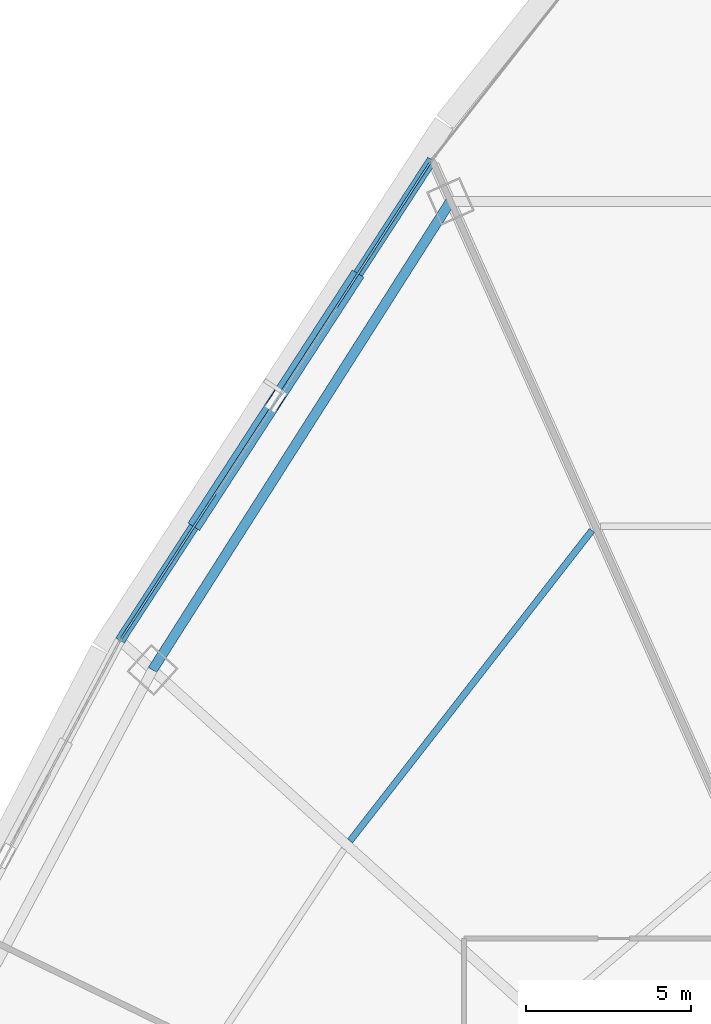
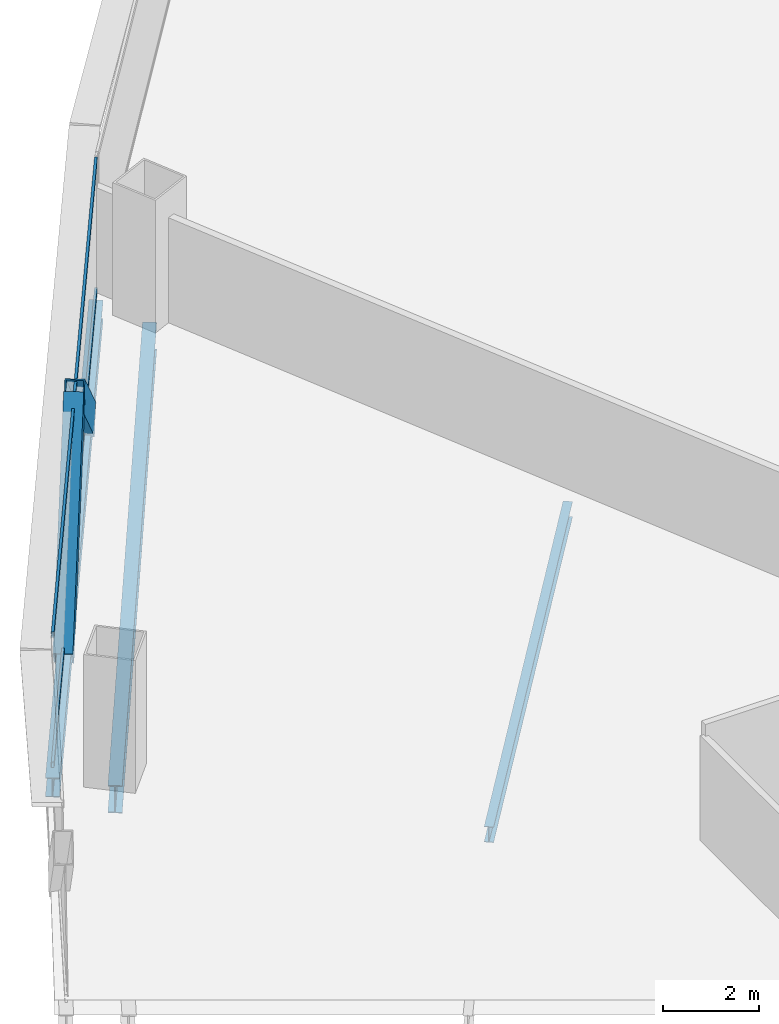
# One storey, part 17 of 37: 4 members, 3 beams, 1 element without a shape of its own.
"""IFC4 building model written with IfcOpenShell, lengths in metres."""

from ifc_helpers import new_model, si_unit, direction, frame, origin, origin_2d, place, context, subcontext, project, spatial, hollow_rectangle, i_section, extrude, source, transform, mapped, material, layer, layer_set, material_profile, profile_set, type_object, element, aggregate, save


model = new_model("IFC4")

# Units and contexts
model_context = context("Model", 3, precision=1e-05, world=origin(), true_north=direction((0.0, 1.0)))
body_context = subcontext(model_context, "Body", "Model", "MODEL_VIEW")
ifc_project = project(units=[si_unit("LENGTHUNIT", "METRE"), si_unit("AREAUNIT", "SQUARE_METRE"), si_unit("VOLUMEUNIT", "CUBIC_METRE"), si_unit("PLANEANGLEUNIT", "RADIAN"), si_unit("MASSUNIT", "GRAM", prefix="KILO"), si_unit("THERMODYNAMICTEMPERATUREUNIT", "KELVIN"), si_unit("POWERUNIT", "WATT")], contexts=[model_context])

# Site, building, storey
site_placement = place(None, origin())
site = spatial("IfcSite", under=ifc_project, at=site_placement, CompositionType="ELEMENT")
building_placement = place(site_placement, origin())
building = spatial("IfcBuilding", under=site, at=building_placement, Name="Yunzhuo Pagoda Commons", CompositionType="ELEMENT")
storey_placement = place(building_placement, frame((0.0, 0.0, 52.179931640625)))
storey = spatial("IfcBuildingStorey", under=building, at=storey_placement, Name="L13", CompositionType="ELEMENT", Elevation=52.179931640625)

# Beams
ifc_material_1 = material(Name="Structural steel Q355B", Category="steel")
ifc_material_profile_1 = material_profile(ifc_material_1, i_section(OverallWidth=0.300048828125, OverallDepth=0.699951171875, WebThickness=0.012939453125, FlangeThickness=0.02392578125, at=origin_2d()), Name="Structural steel Q355B")
ifc_profile_set_1 = profile_set([ifc_material_profile_1], Name="Structural steel Q355B")
beam_type_1 = type_object("IfcBeamType", Name="B-RG1 Beam HN 700x300x13x24", PredefinedType="BEAM", material=ifc_profile_set_1)
shared_shape_1 = source(origin(), body_context, "Body", "SweptSolid", [
    extrude(i_section(OverallWidth=0.300048828125, OverallDepth=0.699951171875, WebThickness=0.012939453125, FlangeThickness=0.02392578125, at=origin_2d()), origin(), (0.0, 0.0, 1.0), 16.843994140625),
])
beam_1_placement = place(storey_placement, frame((31.38916015625, 71.008544921875, -0.60986328125), z_axis=(-0.536558458992, -0.843863152462, 0.0), x_axis=(0.843863152462, -0.536558458992, 0.0)))
element("IfcBeam", 1, at=beam_1_placement, inside=storey, type_object=beam_type_1, Name="L13 column-ring beam 9", PredefinedType="BEAM", context=body_context, shape_type="MappedRepresentation", body=[
    mapped(shared_shape_1, transform((0.0, 0.0, 0.0), scale=1.0)),
])
ifc_material_profile_2 = material_profile(ifc_material_1, i_section(OverallWidth=0.199951171875, OverallDepth=0.39990234375, WebThickness=0.008056640625, FlangeThickness=0.012939453125, at=origin_2d()), Name="Structural steel Q355B")
ifc_profile_set_2 = profile_set([ifc_material_profile_2], Name="Structural steel Q355B")
beam_type_2 = type_object("IfcBeamType", Name="B-JS1 Joist HN 400x200x8x13", PredefinedType="JOIST", material=ifc_profile_set_2)
shared_shape_2 = source(origin(), body_context, "Body", "SweptSolid", [
    extrude(i_section(OverallWidth=0.199951171875, OverallDepth=0.39990234375, WebThickness=0.008056640625, FlangeThickness=0.012939453125, at=origin_2d()), origin(), (0.0, 0.0, 1.0), 11.934326171875),
])
beam_2_placement = place(storey_placement, frame((35.680908203125, 61.0244140625, -0.4599609375), z_axis=(-0.614546587023, -0.788880531119, 0.0), x_axis=(0.788880531119, -0.614546587023, 0.0)))
element("IfcBeam", 2, at=beam_2_placement, inside=storey, type_object=beam_type_2, Name="L13 composite ring joist 2.9", PredefinedType="JOIST", context=body_context, shape_type="MappedRepresentation", body=[
    mapped(shared_shape_2, transform((0.0, 0.0, 0.0), scale=1.0)),
])
ifc_material_profile_3 = material_profile(ifc_material_1, i_section(OverallWidth=0.300048828125, OverallDepth=0.488037109375, WebThickness=0.010986328125, FlangeThickness=0.01806640625, at=origin_2d()), Name="Structural steel Q355B")
ifc_profile_set_3 = profile_set([ifc_material_profile_3], Name="Structural steel Q355B")
beam_type_3 = type_object("IfcBeamType", Name="B-SP1 Beam HM 488x300x11x18", PredefinedType="BEAM", material=ifc_profile_set_3)
shared_shape_3 = source(origin(), body_context, "Body", "SweptSolid", [
    extrude(i_section(OverallWidth=0.300048828125, OverallDepth=0.488037109375, WebThickness=0.010986328125, FlangeThickness=0.01806640625, at=origin_2d()), origin(), (0.0, 0.0, 1.0), 17.38671875),
])
beam_3_placement = place(storey_placement, frame((30.828369140625, 72.2685546875, -0.50390625), z_axis=(-0.544473954906, -0.838777749126, 0.0), x_axis=(0.838777749126, -0.544473954906, 0.0)))
element("IfcBeam", 3, at=beam_3_placement, inside=storey, type_object=beam_type_3, Name="L13 facade edge spandrel beam F3.1", PredefinedType="BEAM", context=body_context, shape_type="MappedRepresentation", body=[
    mapped(shared_shape_3, transform((0.0, 0.0, 0.0), scale=1.0)),
])

# Members
ifc_material_2 = material(Name="Structural steel Q420B", Category="steel")
ifc_material_profile_4 = material_profile(ifc_material_2, hollow_rectangle(XDim=0.419921875, YDim=0.719970703125, WallThickness=0.028076171875, at=origin_2d()), Name="Structural steel Q420B")
ifc_profile_set_4 = profile_set([ifc_material_profile_4], Name="Structural steel Q420B")
member_type_1 = type_object("IfcMemberType", Name="M-DL1 Brace BOX 720x420x28", PredefinedType="BRACE", material=ifc_profile_set_4)
shared_shape_4 = source(origin(), body_context, "Body", "SweptSolid", [
    extrude(hollow_rectangle(XDim=0.419921875, YDim=0.719970703125, WallThickness=0.028076171875, at=origin_2d()), origin(), (0.0, 0.0, 1.0), 5.6630859375),
])
for number, where, z_axis, x_axis, name in (
    (4, (28.461669921875, 68.62255859375, -0.260009765625), (-0.417880962033, -0.643785866712, 0.641026722838), (0.838788662452, -0.544457142245, 0.0), "L13 facade diamond brace F3.1L"),
    (5, (23.728515625, 61.3310546875, -0.260009765625), (0.417916544349, 0.643774268286, 0.64101517412), (-0.838763010276, 0.544496659855, 0.0), "L13 facade diamond brace F3.1R"),
):
    element("IfcMember", number, at=place(storey_placement, frame(where, z_axis=z_axis, x_axis=x_axis)), inside=storey, type_object=member_type_1, Name=name, PredefinedType="BRACE", context=body_context, shape_type="MappedRepresentation", body=[
        mapped(shared_shape_4, transform((0.0, 0.0, 0.0), scale=1.0)),
    ])

# Curtain wall, members
ifc_material_3 = material(Name="Anodized aluminium 6063-T6", Category="aluminium")
ifc_layer = layer(ifc_material_3, 0.1650390625)
ifc_layer_set = layer_set([ifc_layer], Name="Anodized aluminium 6063-T6")
curtain_wall_type = type_object("IfcCurtainWallType", Name="CW-LOW Low-Zone Ribbon Curtain Wall", PredefinedType="NOTDEFINED", material=ifc_layer_set)
curtain_wall_placement = place(storey_placement, origin())
curtain_wall = element("IfcCurtainWall", 6, at=curtain_wall_placement, inside=storey, type_object=curtain_wall_type, Name="L13 curtain wall CW-L13-F3B2", PredefinedType="NOTDEFINED")
ifc_material_profile_5 = material_profile(ifc_material_3, hollow_rectangle(XDim=0.06005859375, YDim=0.139892578125, WallThickness=0.00341796875, at=origin_2d()), Name="Anodized aluminium 6063-T6")
ifc_profile_set_5 = profile_set([ifc_material_profile_5], Name="Anodized aluminium 6063-T6")
member_type_2 = type_object("IfcMemberType", Name="CW-LOW-T Transom RHS 140x60x3.5", PredefinedType="USERDEFINED", material=ifc_profile_set_5)
shared_shape_5 = source(origin(), body_context, "Body", "SweptSolid", [
    extrude(hollow_rectangle(XDim=0.06005859375, YDim=0.139892578125, WallThickness=0.00341796875, at=origin_2d()), origin(), (0.0, 0.0, 1.0), 17.256591796875),
])
member_1_placement = place(storey_placement, frame((30.79296875, 72.2138671875, 0.030029296875), z_axis=(-0.544475548743, -0.83877671452, 0.0), x_axis=(0.83877671452, -0.544475548743, 0.0)))
member_1 = element("IfcMember", 7, at=member_1_placement, type_object=member_type_2, Name="CW transom 1.1", ObjectType="TRANSOM", PredefinedType="USERDEFINED", context=body_context, shape_type="MappedRepresentation", body=[
    mapped(shared_shape_5, transform((0.0, 0.0, 0.0), scale=1.0)),
])
member_2_placement = place(storey_placement, frame((30.79296875, 72.2138671875, 3.34033203125), z_axis=(-0.544475548743, -0.83877671452, 0.0), x_axis=(0.83877671452, -0.544475548743, 0.0)))
member_2 = element("IfcMember", 8, at=member_2_placement, type_object=member_type_2, Name="CW transom 1.2", ObjectType="TRANSOM", PredefinedType="USERDEFINED", context=body_context, shape_type="MappedRepresentation", body=[
    mapped(shared_shape_5, transform((0.0, 0.0, 0.0), scale=1.0)),
])
aggregate(curtain_wall, [member_1, member_2])

save(model, "model.ifc")
